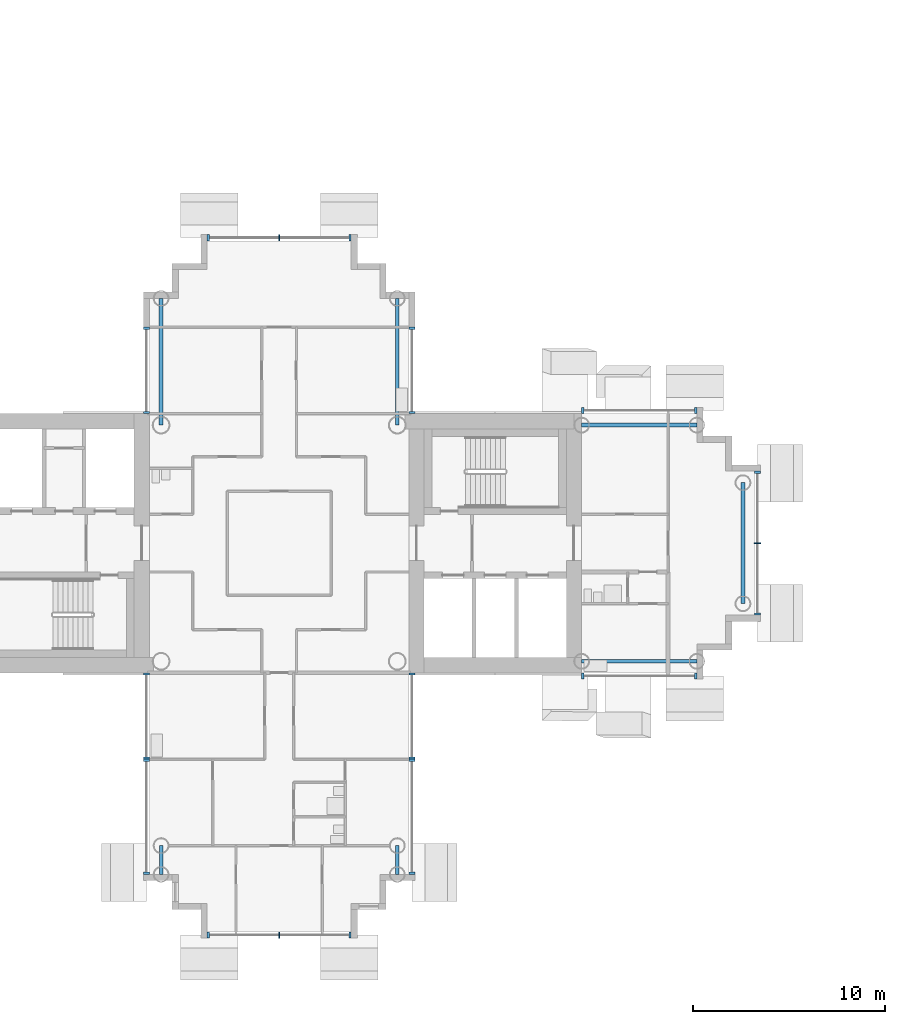
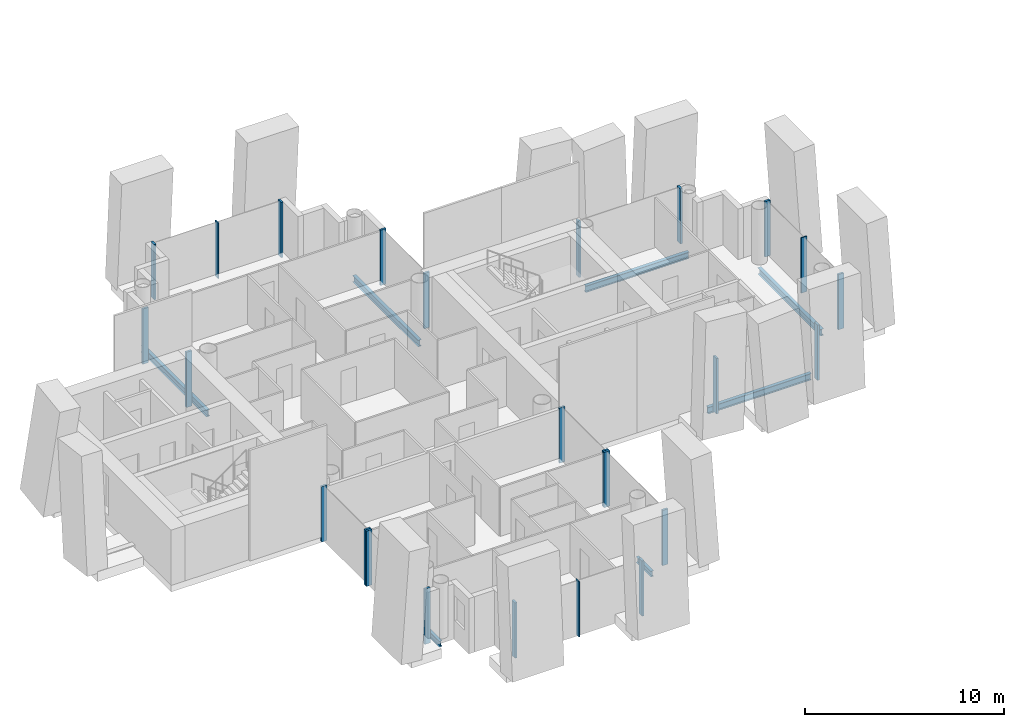
# One storey, part 3 of 19: 25 members, 7 beams, 11 elements without a shape of their own.
"""IFC4 building model written with IfcOpenShell, lengths in metres."""

from ifc_helpers import new_model, si_unit, direction, frame, origin, origin_2d, place, context, subcontext, project, spatial, rectangle, i_section, extrude, material, layer, layer_set, material_profile, profile_set, type_object, element, aggregate, save


model = new_model("IFC4")

# Units and contexts
model_context = context("Model", 3, precision=1e-05, world=origin(), true_north=direction((0.0, 1.0)))
body_context = subcontext(model_context, "Body", "Model", "MODEL_VIEW")
ifc_project = project(units=[si_unit("LENGTHUNIT", "METRE"), si_unit("AREAUNIT", "SQUARE_METRE"), si_unit("VOLUMEUNIT", "CUBIC_METRE"), si_unit("PLANEANGLEUNIT", "RADIAN"), si_unit("MASSUNIT", "GRAM", prefix="KILO")], contexts=[model_context])

# Site, building, storey
site_placement = place(None, origin())
site = spatial("IfcSite", under=ifc_project, at=site_placement, CompositionType="ELEMENT")
building_placement = place(site_placement, origin())
building = spatial("IfcBuilding", under=site, at=building_placement, Name="Ipe Terrace Towers", CompositionType="ELEMENT")
storey_placement = place(building_placement, frame((0.0, 0.0, 137.10009765625)))
storey = spatial("IfcBuildingStorey", under=building, at=storey_placement, Name="L37", CompositionType="ELEMENT", Elevation=137.10009765625)

# Beams
ifc_material_1 = material(Name="Steel S355", Category="steel")
ifc_material_profile_1 = material_profile(ifc_material_1, i_section(OverallWidth=0.175048828125, OverallDepth=0.35009765625, WebThickness=0.007080078125, FlangeThickness=0.010986328125, at=origin_2d()), Name="H-350x175x7x11")
ifc_profile_set_1 = profile_set([ifc_material_profile_1], Name="Steel S355")
beam_type_1 = type_object("IfcBeamType", Name="H04 EDGE BEAM H-350x175x7x11", PredefinedType="BEAM", material=ifc_profile_set_1)
for number, where, z_axis, x_axis, name in (
    (1, (-42.14990234375, -15.75, -0.5751953125), (0.0, -1.0, 0.0), (1.0, 0.0, 0.0), "Edge beam T1-EB-D03-D05"),
    (2, (-29.85009765625, -15.75, -0.5751953125), (0.0, -1.0, 0.0), (1.0, 0.0, 0.0), "Edge beam T1-EB-D04-D06"),
):
    element("IfcBeam", number, at=place(storey_placement, frame(where, z_axis=z_axis, x_axis=x_axis)), inside=storey, type_object=beam_type_1, Name=name, PredefinedType="BEAM", context=body_context, shape_type="SweptSolid", body=[
        extrude(i_section(OverallWidth=0.175048828125, OverallDepth=0.35009765625, WebThickness=0.007080078125, FlangeThickness=0.010986328125, at=origin_2d()), origin(), (0.0, 0.0, 1.0), 1.5),
    ])
ifc_material_2 = material(Name="Steel S355", Category="steel")
ifc_material_profile_2 = material_profile(ifc_material_2, i_section(OverallWidth=0.199951171875, OverallDepth=0.39990234375, WebThickness=0.008056640625, FlangeThickness=0.012939453125, at=origin_2d()), Name="H-400x200x8x13")
ifc_profile_set_2 = profile_set([ifc_material_profile_2], Name="Steel S355")
beam_type_2 = type_object("IfcBeamType", Name="H06 EDGE BEAM H-400x200x8x13", PredefinedType="BEAM", material=ifc_profile_set_2)
for number, where, z_axis, x_axis, name in (
    (3, (-20.25, -6.14990234375, -0.60009765625), (1.0, 0.0, 0.0), (0.0, 1.0, 0.0), "Edge beam T1-EB-A01-A03"),
    (4, (-20.25, 6.14990234375, -0.60009765625), (1.0, 0.0, 0.0), (0.0, 1.0, 0.0), "Edge beam T1-EB-A02-A04"),
):
    element("IfcBeam", number, at=place(storey_placement, frame(where, z_axis=z_axis, x_axis=x_axis)), inside=storey, type_object=beam_type_2, Name=name, PredefinedType="BEAM", context=body_context, shape_type="SweptSolid", body=[
        extrude(i_section(OverallWidth=0.199951171875, OverallDepth=0.39990234375, WebThickness=0.008056640625, FlangeThickness=0.012939453125, at=origin_2d()), origin(), (0.0, 0.0, 1.0), 6.0),
    ])
beam_placement = place(storey_placement, frame((-11.85009765625, -3.14990234375, -0.60009765625), z_axis=(0.0, 1.0, 0.0), x_axis=(-1.0, 0.0, 0.0)))
element("IfcBeam", 5, at=beam_placement, inside=storey, type_object=beam_type_2, Name="Edge beam T1-EB-A05-A06", PredefinedType="BEAM", context=body_context, shape_type="SweptSolid", body=[
    extrude(i_section(OverallWidth=0.199951171875, OverallDepth=0.39990234375, WebThickness=0.008056640625, FlangeThickness=0.012939453125, at=origin_2d()), origin(), (0.0, 0.0, 1.0), 6.2998046875),
])
for number, where, z_axis, x_axis, name in (
    (6, (-29.85009765625, 12.75, -0.60009765625), (0.0, -1.0, 0.0), (1.0, 0.0, 0.0), "Edge beam T1-EB-B01-E03"),
    (7, (-42.14990234375, 12.75, -0.60009765625), (0.0, -1.0, 0.0), (1.0, 0.0, 0.0), "Edge beam T1-EB-B02-E04"),
):
    element("IfcBeam", number, at=place(storey_placement, frame(where, z_axis=z_axis, x_axis=x_axis)), inside=storey, type_object=beam_type_2, Name=name, PredefinedType="BEAM", context=body_context, shape_type="SweptSolid", body=[
        extrude(i_section(OverallWidth=0.199951171875, OverallDepth=0.39990234375, WebThickness=0.008056640625, FlangeThickness=0.012939453125, at=origin_2d()), origin(), (0.0, 0.0, 1.0), 6.60009765625),
    ])

# Curtain wall, members
ifc_material_3 = material(Name="Aluminium alloy 6063-T6", Category="aluminium")
ifc_layer = layer(ifc_material_3, 0.320068359375)
ifc_layer_set = layer_set([ifc_layer], Name="TOWER UNITISED CURTAIN WALL")
curtain_wall_type = type_object("IfcCurtainWallType", Name="TOWER UNITISED CURTAIN WALL", PredefinedType="NOTDEFINED", material=ifc_layer_set)
curtain_wall_1_placement = place(storey_placement, origin())
curtain_wall_1 = element("IfcCurtainWall", 8, at=curtain_wall_1_placement, inside=storey, type_object=curtain_wall_type, Name="T1-CW-L37-02a curtain wall", PredefinedType="NOTDEFINED")
ifc_material_4 = material(Name="Aluminium alloy 6063-T6", Category="aluminium")
ifc_material_profile_3 = material_profile(ifc_material_4, rectangle(XDim=0.320068359375, YDim=0.1201171875, at=origin_2d()), Name="TOWER UNITISED CORNER MULLION 320 x 120")
ifc_profile_set_3 = profile_set([ifc_material_profile_3], Name="Aluminium alloy 6063-T6")
member_type_1 = type_object("IfcMemberType", Name="TOWER UNITISED CORNER MULLION 320 x 120", PredefinedType="MULLION", material=ifc_profile_set_3)
member_1_placement = place(storey_placement, frame((-42.909912109375, -6.81005859375, -0.300048828125), z_axis=(0.0, 0.0, 1.0), x_axis=(-1.0, 0.0, 0.0)))
member_1 = element("IfcMember", 9, at=member_1_placement, type_object=member_type_1, Name="T1-CW-L37-02a mullion 1", PredefinedType="MULLION", context=body_context, shape_type="SweptSolid", body=[
    extrude(rectangle(XDim=0.320068359375, YDim=0.1201171875, at=origin_2d()), origin(), (0.0, 0.0, 1.0), 3.39990234375),
])
member_2_placement = place(storey_placement, frame((-42.909912109375, -11.18994140625, -0.300048828125), z_axis=(0.0, 0.0, 1.0), x_axis=(-1.0, 0.0, 0.0)))
member_2 = element("IfcMember", 10, at=member_2_placement, type_object=member_type_1, Name="T1-CW-L37-02a mullion 2", PredefinedType="MULLION", context=body_context, shape_type="SweptSolid", body=[
    extrude(rectangle(XDim=0.320068359375, YDim=0.1201171875, at=origin_2d()), origin(), (0.0, 0.0, 1.0), 3.39990234375),
])
aggregate(curtain_wall_1, [member_1, member_2])

curtain_wall_2_placement = place(storey_placement, origin())
curtain_wall_2 = element("IfcCurtainWall", 11, at=curtain_wall_2_placement, inside=storey, type_object=curtain_wall_type, Name="T1-CW-L37-03a curtain wall", PredefinedType="NOTDEFINED")
member_3_placement = place(storey_placement, frame((-42.909912109375, -11.31005859375, -0.300048828125), z_axis=(0.0, 0.0, 1.0), x_axis=(-1.0, 0.0, 0.0)))
member_3 = element("IfcMember", 12, at=member_3_placement, type_object=member_type_1, Name="T1-CW-L37-03a mullion 1", PredefinedType="MULLION", context=body_context, shape_type="SweptSolid", body=[
    extrude(rectangle(XDim=0.320068359375, YDim=0.1201171875, at=origin_2d()), origin(), (0.0, 0.0, 1.0), 3.39990234375),
])
member_4_placement = place(storey_placement, frame((-42.909912109375, -17.18994140625, -0.300048828125), z_axis=(0.0, 0.0, 1.0), x_axis=(-1.0, 0.0, 0.0)))
member_4 = element("IfcMember", 13, at=member_4_placement, type_object=member_type_1, Name="T1-CW-L37-03a mullion 2", PredefinedType="MULLION", context=body_context, shape_type="SweptSolid", body=[
    extrude(rectangle(XDim=0.320068359375, YDim=0.1201171875, at=origin_2d()), origin(), (0.0, 0.0, 1.0), 3.39990234375),
])
aggregate(curtain_wall_2, [member_3, member_4])

curtain_wall_3_placement = place(storey_placement, origin())
curtain_wall_3 = element("IfcCurtainWall", 14, at=curtain_wall_3_placement, inside=storey, type_object=curtain_wall_type, Name="T1-CW-L37-08a curtain wall", PredefinedType="NOTDEFINED")
member_5_placement = place(storey_placement, frame((-39.68994140625, -20.409912109375, -0.300048828125), z_axis=(0.0, 0.0, 1.0), x_axis=(0.0, -1.0, 0.0)))
member_5 = element("IfcMember", 15, at=member_5_placement, type_object=member_type_1, Name="T1-CW-L37-08a mullion 1", PredefinedType="MULLION", context=body_context, shape_type="SweptSolid", body=[
    extrude(rectangle(XDim=0.320068359375, YDim=0.1201171875, at=origin_2d()), origin(), (0.0, 0.0, 1.0), 3.39990234375),
])
member_6_placement = place(storey_placement, frame((-32.31005859375, -20.409912109375, -0.300048828125), z_axis=(0.0, 0.0, 1.0), x_axis=(0.0, -1.0, 0.0)))
member_6 = element("IfcMember", 16, at=member_6_placement, type_object=member_type_1, Name="T1-CW-L37-08a mullion 3", PredefinedType="MULLION", context=body_context, shape_type="SweptSolid", body=[
    extrude(rectangle(XDim=0.320068359375, YDim=0.1201171875, at=origin_2d()), origin(), (0.0, 0.0, 1.0), 3.39990234375),
])

curtain_wall_4_placement = place(storey_placement, origin())
curtain_wall_4 = element("IfcCurtainWall", 17, at=curtain_wall_4_placement, inside=storey, type_object=curtain_wall_type, Name="T1-CW-L37-13a curtain wall", PredefinedType="NOTDEFINED")
member_7_placement = place(storey_placement, frame((-29.090087890625, -17.18994140625, -0.300048828125), z_axis=(0.0, 0.0, 1.0), x_axis=(1.0, 0.0, 0.0)))
member_7 = element("IfcMember", 18, at=member_7_placement, type_object=member_type_1, Name="T1-CW-L37-13a mullion 1", PredefinedType="MULLION", context=body_context, shape_type="SweptSolid", body=[
    extrude(rectangle(XDim=0.320068359375, YDim=0.1201171875, at=origin_2d()), origin(), (0.0, 0.0, 1.0), 3.39990234375),
])
member_8_placement = place(storey_placement, frame((-29.090087890625, -11.31005859375, -0.300048828125), z_axis=(0.0, 0.0, 1.0), x_axis=(1.0, 0.0, 0.0)))
member_8 = element("IfcMember", 19, at=member_8_placement, type_object=member_type_1, Name="T1-CW-L37-13a mullion 2", PredefinedType="MULLION", context=body_context, shape_type="SweptSolid", body=[
    extrude(rectangle(XDim=0.320068359375, YDim=0.1201171875, at=origin_2d()), origin(), (0.0, 0.0, 1.0), 3.39990234375),
])
aggregate(curtain_wall_4, [member_7, member_8])

curtain_wall_5_placement = place(storey_placement, origin())
curtain_wall_5 = element("IfcCurtainWall", 20, at=curtain_wall_5_placement, inside=storey, type_object=curtain_wall_type, Name="T1-CW-L37-14a curtain wall", PredefinedType="NOTDEFINED")
member_9_placement = place(storey_placement, frame((-29.090087890625, -11.18994140625, -0.300048828125), z_axis=(0.0, 0.0, 1.0), x_axis=(1.0, 0.0, 0.0)))
member_9 = element("IfcMember", 21, at=member_9_placement, type_object=member_type_1, Name="T1-CW-L37-14a mullion 1", PredefinedType="MULLION", context=body_context, shape_type="SweptSolid", body=[
    extrude(rectangle(XDim=0.320068359375, YDim=0.1201171875, at=origin_2d()), origin(), (0.0, 0.0, 1.0), 3.39990234375),
])
member_10_placement = place(storey_placement, frame((-29.090087890625, -6.81005859375, -0.300048828125), z_axis=(0.0, 0.0, 1.0), x_axis=(1.0, 0.0, 0.0)))
member_10 = element("IfcMember", 22, at=member_10_placement, type_object=member_type_1, Name="T1-CW-L37-14a mullion 2", PredefinedType="MULLION", context=body_context, shape_type="SweptSolid", body=[
    extrude(rectangle(XDim=0.320068359375, YDim=0.1201171875, at=origin_2d()), origin(), (0.0, 0.0, 1.0), 3.39990234375),
])
aggregate(curtain_wall_5, [member_9, member_10])

curtain_wall_6_placement = place(storey_placement, origin())
curtain_wall_6 = element("IfcCurtainWall", 23, at=curtain_wall_6_placement, inside=storey, type_object=curtain_wall_type, Name="T1-CW-L37-16b curtain wall", PredefinedType="NOTDEFINED")
member_11_placement = place(storey_placement, frame((-20.18896484375, -6.909912109375, -0.300048828125), z_axis=(0.0, 0.0, 1.0), x_axis=(0.0, -1.0, 0.0)))
member_11 = element("IfcMember", 24, at=member_11_placement, type_object=member_type_1, Name="T1-CW-L37-16b mullion 1", PredefinedType="MULLION", context=body_context, shape_type="SweptSolid", body=[
    extrude(rectangle(XDim=0.320068359375, YDim=0.1201171875, at=origin_2d()), origin(), (0.0, 0.0, 1.0), 3.39990234375),
])
member_12_placement = place(storey_placement, frame((-14.31005859375, -6.909912109375, -0.300048828125), z_axis=(0.0, 0.0, 1.0), x_axis=(0.0, -1.0, 0.0)))
member_12 = element("IfcMember", 25, at=member_12_placement, type_object=member_type_1, Name="T1-CW-L37-16b mullion 2", PredefinedType="MULLION", context=body_context, shape_type="SweptSolid", body=[
    extrude(rectangle(XDim=0.320068359375, YDim=0.1201171875, at=origin_2d()), origin(), (0.0, 0.0, 1.0), 3.39990234375),
])
aggregate(curtain_wall_6, [member_11, member_12])

curtain_wall_7_placement = place(storey_placement, origin())
curtain_wall_7 = element("IfcCurtainWall", 26, at=curtain_wall_7_placement, inside=storey, type_object=curtain_wall_type, Name="T1-CW-L37-21a curtain wall", PredefinedType="NOTDEFINED")
member_13_placement = place(storey_placement, frame((-11.090087890625, -3.68994140625, -0.300048828125), z_axis=(0.0, 0.0, 1.0), x_axis=(1.0, 0.0, 0.0)))
member_13 = element("IfcMember", 27, at=member_13_placement, type_object=member_type_1, Name="T1-CW-L37-21a mullion 1", PredefinedType="MULLION", context=body_context, shape_type="SweptSolid", body=[
    extrude(rectangle(XDim=0.320068359375, YDim=0.1201171875, at=origin_2d()), origin(), (0.0, 0.0, 1.0), 3.39990234375),
])
member_14_placement = place(storey_placement, frame((-11.090087890625, 3.68994140625, -0.300048828125), z_axis=(0.0, 0.0, 1.0), x_axis=(1.0, 0.0, 0.0)))
member_14 = element("IfcMember", 28, at=member_14_placement, type_object=member_type_1, Name="T1-CW-L37-21a mullion 3", PredefinedType="MULLION", context=body_context, shape_type="SweptSolid", body=[
    extrude(rectangle(XDim=0.320068359375, YDim=0.1201171875, at=origin_2d()), origin(), (0.0, 0.0, 1.0), 3.39990234375),
])

curtain_wall_8_placement = place(storey_placement, origin())
curtain_wall_8 = element("IfcCurtainWall", 29, at=curtain_wall_8_placement, inside=storey, type_object=curtain_wall_type, Name="T1-CW-L37-26a curtain wall", PredefinedType="NOTDEFINED")
member_15_placement = place(storey_placement, frame((-14.31005859375, 6.909912109375, -0.300048828125), z_axis=(0.0, 0.0, 1.0), x_axis=(0.0, 1.0, 0.0)))
member_15 = element("IfcMember", 30, at=member_15_placement, type_object=member_type_1, Name="T1-CW-L37-26a mullion 1", PredefinedType="MULLION", context=body_context, shape_type="SweptSolid", body=[
    extrude(rectangle(XDim=0.320068359375, YDim=0.1201171875, at=origin_2d()), origin(), (0.0, 0.0, 1.0), 3.39990234375),
])
member_16_placement = place(storey_placement, frame((-20.18896484375, 6.909912109375, -0.300048828125), z_axis=(0.0, 0.0, 1.0), x_axis=(0.0, 1.0, 0.0)))
member_16 = element("IfcMember", 31, at=member_16_placement, type_object=member_type_1, Name="T1-CW-L37-26a mullion 2", PredefinedType="MULLION", context=body_context, shape_type="SweptSolid", body=[
    extrude(rectangle(XDim=0.320068359375, YDim=0.1201171875, at=origin_2d()), origin(), (0.0, 0.0, 1.0), 3.39990234375),
])
aggregate(curtain_wall_8, [member_15, member_16])

curtain_wall_9_placement = place(storey_placement, origin())
curtain_wall_9 = element("IfcCurtainWall", 32, at=curtain_wall_9_placement, inside=storey, type_object=curtain_wall_type, Name="T1-CW-L37-28a curtain wall", PredefinedType="NOTDEFINED")
member_17_placement = place(storey_placement, frame((-29.090087890625, 6.81005859375, -0.300048828125), z_axis=(0.0, 0.0, 1.0), x_axis=(1.0, 0.0, 0.0)))
member_17 = element("IfcMember", 33, at=member_17_placement, type_object=member_type_1, Name="T1-CW-L37-28a mullion 1", PredefinedType="MULLION", context=body_context, shape_type="SweptSolid", body=[
    extrude(rectangle(XDim=0.320068359375, YDim=0.1201171875, at=origin_2d()), origin(), (0.0, 0.0, 1.0), 3.39990234375),
])
member_18_placement = place(storey_placement, frame((-29.090087890625, 11.18994140625, -0.300048828125), z_axis=(0.0, 0.0, 1.0), x_axis=(1.0, 0.0, 0.0)))
member_18 = element("IfcMember", 34, at=member_18_placement, type_object=member_type_1, Name="T1-CW-L37-28a mullion 2", PredefinedType="MULLION", context=body_context, shape_type="SweptSolid", body=[
    extrude(rectangle(XDim=0.320068359375, YDim=0.1201171875, at=origin_2d()), origin(), (0.0, 0.0, 1.0), 3.39990234375),
])
aggregate(curtain_wall_9, [member_17, member_18])

curtain_wall_10_placement = place(storey_placement, origin())
curtain_wall_10 = element("IfcCurtainWall", 35, at=curtain_wall_10_placement, inside=storey, type_object=curtain_wall_type, Name="T1-CW-L37-34a curtain wall", PredefinedType="NOTDEFINED")
member_19_placement = place(storey_placement, frame((-32.31005859375, 15.909912109375, -0.300048828125), z_axis=(0.0, 0.0, 1.0), x_axis=(0.0, 1.0, 0.0)))
member_19 = element("IfcMember", 36, at=member_19_placement, type_object=member_type_1, Name="T1-CW-L37-34a mullion 1", PredefinedType="MULLION", context=body_context, shape_type="SweptSolid", body=[
    extrude(rectangle(XDim=0.320068359375, YDim=0.1201171875, at=origin_2d()), origin(), (0.0, 0.0, 1.0), 3.39990234375),
])
member_20_placement = place(storey_placement, frame((-39.68994140625, 15.909912109375, -0.300048828125), z_axis=(0.0, 0.0, 1.0), x_axis=(0.0, 1.0, 0.0)))
member_20 = element("IfcMember", 37, at=member_20_placement, type_object=member_type_1, Name="T1-CW-L37-34a mullion 3", PredefinedType="MULLION", context=body_context, shape_type="SweptSolid", body=[
    extrude(rectangle(XDim=0.320068359375, YDim=0.1201171875, at=origin_2d()), origin(), (0.0, 0.0, 1.0), 3.39990234375),
])

curtain_wall_11_placement = place(storey_placement, origin())
curtain_wall_11 = element("IfcCurtainWall", 38, at=curtain_wall_11_placement, inside=storey, type_object=curtain_wall_type, Name="T1-CW-L37-40a curtain wall", PredefinedType="NOTDEFINED")
member_21_placement = place(storey_placement, frame((-42.909912109375, 11.18994140625, -0.300048828125), z_axis=(0.0, 0.0, 1.0), x_axis=(-1.0, 0.0, 0.0)))
member_21 = element("IfcMember", 39, at=member_21_placement, type_object=member_type_1, Name="T1-CW-L37-40a mullion 1", PredefinedType="MULLION", context=body_context, shape_type="SweptSolid", body=[
    extrude(rectangle(XDim=0.320068359375, YDim=0.1201171875, at=origin_2d()), origin(), (0.0, 0.0, 1.0), 3.39990234375),
])
member_22_placement = place(storey_placement, frame((-42.909912109375, 6.81005859375, -0.300048828125), z_axis=(0.0, 0.0, 1.0), x_axis=(-1.0, 0.0, 0.0)))
member_22 = element("IfcMember", 40, at=member_22_placement, type_object=member_type_1, Name="T1-CW-L37-40a mullion 2", PredefinedType="MULLION", context=body_context, shape_type="SweptSolid", body=[
    extrude(rectangle(XDim=0.320068359375, YDim=0.1201171875, at=origin_2d()), origin(), (0.0, 0.0, 1.0), 3.39990234375),
])
aggregate(curtain_wall_11, [member_21, member_22])

# Member
ifc_material_5 = material(Name="Aluminium alloy 6063-T6", Category="aluminium")
ifc_material_profile_4 = material_profile(ifc_material_5, rectangle(XDim=0.320068359375, YDim=0.06494140625, at=origin_2d()), Name="TOWER UNITISED MULLION 320 x 65")
ifc_profile_set_4 = profile_set([ifc_material_profile_4], Name="Aluminium alloy 6063-T6")
member_type_2 = type_object("IfcMemberType", Name="TOWER UNITISED MULLION 320 x 65", PredefinedType="MULLION", material=ifc_profile_set_4)
member_23_placement = place(storey_placement, frame((-36.0, -20.409912109375, -0.300048828125), z_axis=(0.0, 0.0, 1.0), x_axis=(0.0, -1.0, 0.0)))
member_23 = element("IfcMember", 41, at=member_23_placement, type_object=member_type_2, Name="T1-CW-L37-08a mullion 2", PredefinedType="MULLION", context=body_context, shape_type="SweptSolid", body=[
    extrude(rectangle(XDim=0.320068359375, YDim=0.06494140625, at=origin_2d()), origin(), (0.0, 0.0, 1.0), 3.39990234375),
])

aggregate(curtain_wall_3, [member_5, member_23, member_6])

member_24_placement = place(storey_placement, frame((-11.090087890625, 0.0, -0.300048828125), z_axis=(0.0, 0.0, 1.0), x_axis=(1.0, 0.0, 0.0)))
member_24 = element("IfcMember", 42, at=member_24_placement, type_object=member_type_2, Name="T1-CW-L37-21a mullion 2", PredefinedType="MULLION", context=body_context, shape_type="SweptSolid", body=[
    extrude(rectangle(XDim=0.320068359375, YDim=0.06494140625, at=origin_2d()), origin(), (0.0, 0.0, 1.0), 3.39990234375),
])

aggregate(curtain_wall_7, [member_13, member_24, member_14])

member_25_placement = place(storey_placement, frame((-36.0, 15.909912109375, -0.300048828125), z_axis=(0.0, 0.0, 1.0), x_axis=(0.0, 1.0, 0.0)))
member_25 = element("IfcMember", 43, at=member_25_placement, type_object=member_type_2, Name="T1-CW-L37-34a mullion 2", PredefinedType="MULLION", context=body_context, shape_type="SweptSolid", body=[
    extrude(rectangle(XDim=0.320068359375, YDim=0.06494140625, at=origin_2d()), origin(), (0.0, 0.0, 1.0), 3.39990234375),
])

aggregate(curtain_wall_10, [member_19, member_25, member_20])

save(model, "model.ifc")
